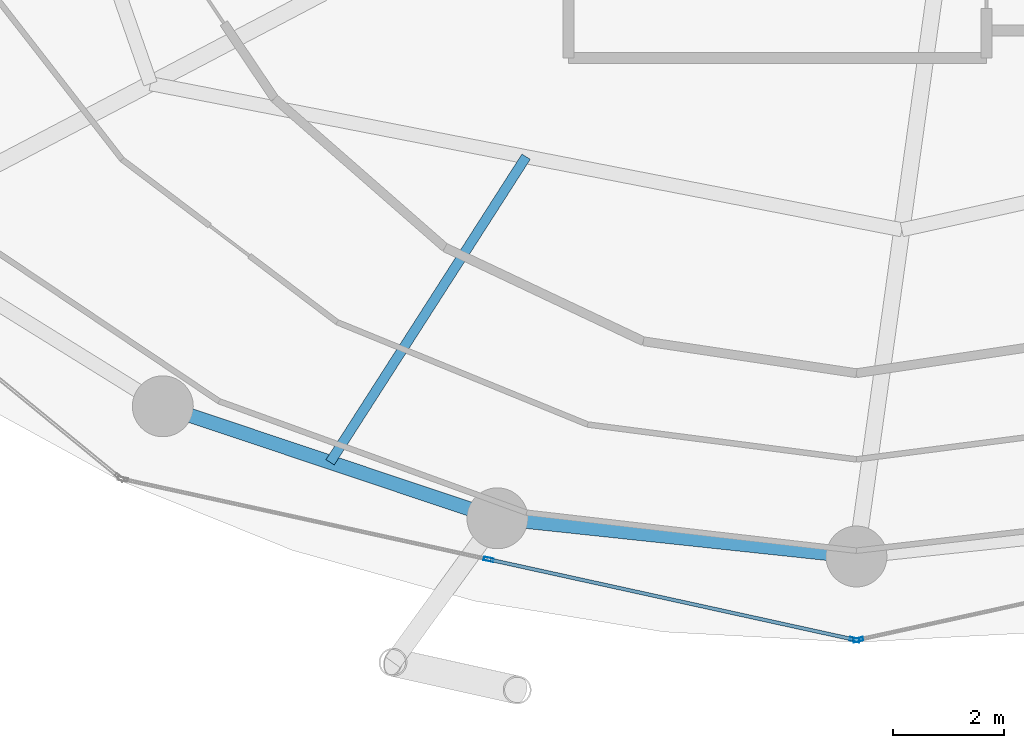
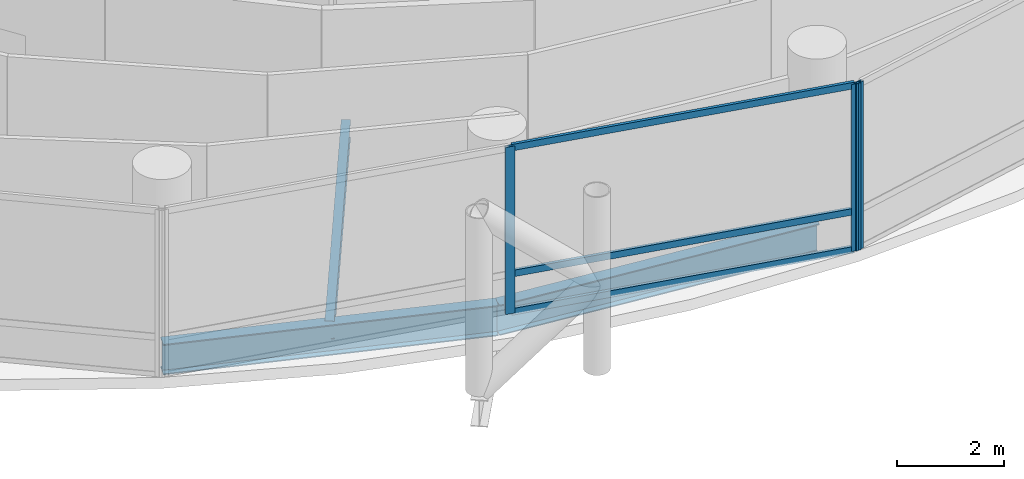
# One storey, part 4 of 26: 6 members, 3 beams, 2 elements without a shape of their own.
"""IFC4 building model written with IfcOpenShell, lengths in metres."""

from ifc_helpers import new_model, si_unit, direction, frame, origin, origin_2d, place, context, subcontext, project, spatial, hollow_rectangle, i_section, extrude, material, layer, layer_set, material_profile, profile_set, type_object, element, aggregate, save


model = new_model("IFC4")

# Units and contexts
model_context = context("Model", 3, precision=1e-05, world=origin(), true_north=direction((0.0, 1.0)))
body_context = subcontext(model_context, "Body", "Model", "MODEL_VIEW")
ifc_project = project(units=[si_unit("LENGTHUNIT", "METRE"), si_unit("AREAUNIT", "SQUARE_METRE"), si_unit("VOLUMEUNIT", "CUBIC_METRE"), si_unit("PLANEANGLEUNIT", "RADIAN"), si_unit("MASSUNIT", "GRAM", prefix="KILO")], contexts=[model_context])

# Site, building, storey
site_placement = place(None, origin())
site = spatial("IfcSite", under=ifc_project, at=site_placement, CompositionType="ELEMENT")
building_placement = place(site_placement, origin())
building = spatial("IfcBuilding", under=site, at=building_placement, Name="Nuhasar Tower", CompositionType="ELEMENT")
storey_placement = place(building_placement, frame((0.0, 0.0, 93.89990234375)))
storey = spatial("IfcBuildingStorey", under=building, at=storey_placement, Name="L22", CompositionType="ELEMENT", Elevation=93.89990234375)

# Beams
ifc_material_1 = material(Name="Steel S355", Category="steel")
ifc_material_profile_1 = material_profile(ifc_material_1, i_section(OverallWidth=0.177978515625, OverallDepth=0.406005859375, WebThickness=0.0078125, FlangeThickness=0.0126953125, at=origin_2d()), Name="W16X40")
ifc_profile_set_1 = profile_set([ifc_material_profile_1], Name="Steel S355")
beam_type_1 = type_object("IfcBeamType", Name="BM-JST-W16X40", PredefinedType="JOIST", material=ifc_profile_set_1)
beam_1_placement = place(storey_placement, frame((33.035888671875, 13.77001953125, -0.452880859375), z_axis=(-0.539944240715, -0.841700788237, 0.0), x_axis=(0.841700788237, -0.539944240715, 0.0)))
element("IfcBeam", 1, at=beam_1_placement, inside=storey, type_object=beam_type_1, Name="L22 Secondary Floor Joist 01", PredefinedType="JOIST", context=body_context, shape_type="SweptSolid", body=[
    extrude(i_section(OverallWidth=0.177978515625, OverallDepth=0.406005859375, WebThickness=0.0078125, FlangeThickness=0.0126953125, at=origin_2d()), origin(), (0.0, 0.0, 1.0), 6.555908203125),
])
ifc_material_profile_2 = material_profile(ifc_material_1, i_section(OverallWidth=0.256103515625, OverallDepth=0.693115234375, WebThickness=0.014404296875, FlangeThickness=0.023681640625, at=origin_2d()), Name="W27X114")
ifc_profile_set_2 = profile_set([ifc_material_profile_2], Name="Steel S355")
beam_type_2 = type_object("IfcBeamType", Name="BM-RING-W27X114", PredefinedType="SPANDREL", material=ifc_profile_set_2)
beam_2_placement = place(storey_placement, frame((26.47509765625, 9.262939453125, -0.596923828125), z_axis=(0.94826097201, -0.317491935271, 0.0), x_axis=(0.317491935271, 0.94826097201, 0.0)))
element("IfcBeam", 2, at=beam_2_placement, inside=storey, type_object=beam_type_2, Name="L22 Perimeter Ring Spandrel 17", PredefinedType="SPANDREL", context=body_context, shape_type="SweptSolid", body=[
    extrude(i_section(OverallWidth=0.256103515625, OverallDepth=0.693115234375, WebThickness=0.014404296875, FlangeThickness=0.023681640625, at=origin_2d()), origin(), (0.0, 0.0, 1.0), 6.37158203125),
])
beam_3_placement = place(storey_placement, frame((32.51708984375, 7.239990234375, -0.596923828125), z_axis=(0.994384554061, -0.105827022286, 0.0), x_axis=(0.105827022286, 0.994384554061, 0.0)))
element("IfcBeam", 3, at=beam_3_placement, inside=storey, type_object=beam_type_2, Name="L22 Perimeter Ring Spandrel 18", PredefinedType="SPANDREL", context=body_context, shape_type="SweptSolid", body=[
    extrude(i_section(OverallWidth=0.256103515625, OverallDepth=0.693115234375, WebThickness=0.014404296875, FlangeThickness=0.023681640625, at=origin_2d()), origin(), (0.0, 0.0, 1.0), 6.51953125),
])

# Curtain wall, members
ifc_material_2 = material(Name="Aluminium 6063-T6", Category="aluminium")
ifc_layer = layer(ifc_material_2, 0.199951171875)
ifc_layer_set = layer_set([ifc_layer], Name="Aluminium 6063-T6")
curtain_wall_type = type_object("IfcCurtainWallType", Name="CW-Z1-OFF", PredefinedType="NOTDEFINED", material=ifc_layer_set)
curtain_wall_1_placement = place(storey_placement, origin())
curtain_wall_1 = element("IfcCurtainWall", 4, at=curtain_wall_1_placement, inside=storey, type_object=curtain_wall_type, Name="L22 Unitised Curtain Wall 09", PredefinedType="NOTDEFINED")
ifc_material_profile_3 = material_profile(ifc_material_2, hollow_rectangle(XDim=0.06494140625, YDim=0.179931640625, WallThickness=0.0048828125, at=origin_2d()), Name="CWM-2")
ifc_profile_set_3 = profile_set([ifc_material_profile_3], Name="Aluminium 6063-T6")
member_type_1 = type_object("IfcMemberType", Name="CW-MUL-S2", PredefinedType="MULLION", material=ifc_profile_set_3)
member_1_placement = place(storey_placement, frame((32.360107421875, 6.49755859375, 0.0), z_axis=(0.0, 0.0, 1.0), x_axis=(0.214398737637, 0.976746221544, 0.0)))
member_1 = element("IfcMember", 5, at=member_1_placement, type_object=member_type_1, Name="CW-Z1 mullion 2", PredefinedType="MULLION", context=body_context, shape_type="SweptSolid", body=[
    extrude(hollow_rectangle(XDim=0.06494140625, YDim=0.179931640625, WallThickness=0.0048828125, at=origin_2d()), origin(), (0.0, 0.0, 1.0), 3.800048828125),
])
member_2_placement = place(storey_placement, frame((38.96826171875, 5.046875, 0.0), z_axis=(0.0, 0.0, 1.0), x_axis=(0.214398737637, 0.976746221544, 0.0)))
member_2 = element("IfcMember", 6, at=member_2_placement, type_object=member_type_1, Name="CW-Z1 mullion 3", PredefinedType="MULLION", context=body_context, shape_type="SweptSolid", body=[
    extrude(hollow_rectangle(XDim=0.06494140625, YDim=0.179931640625, WallThickness=0.0048828125, at=origin_2d()), origin(), (0.0, 0.0, 1.0), 3.800048828125),
])

# Curtain wall, member
curtain_wall_2_placement = place(storey_placement, origin())
curtain_wall_2 = element("IfcCurtainWall", 7, at=curtain_wall_2_placement, inside=storey, type_object=curtain_wall_type, Name="L22 Unitised Curtain Wall 10", PredefinedType="NOTDEFINED")
member_3_placement = place(storey_placement, frame((39.03173828125, 5.046875, 0.0), z_axis=(0.0, 0.0, 1.0), x_axis=(-0.214398737637, 0.976746221544, 0.0)))
member_3 = element("IfcMember", 8, at=member_3_placement, type_object=member_type_1, Name="CW-Z1 mullion 1", PredefinedType="MULLION", context=body_context, shape_type="SweptSolid", body=[
    extrude(hollow_rectangle(XDim=0.06494140625, YDim=0.179931640625, WallThickness=0.0048828125, at=origin_2d()), origin(), (0.0, 0.0, 1.0), 3.800048828125),
])
aggregate(curtain_wall_2, [member_3])

# Member
ifc_material_profile_4 = material_profile(ifc_material_2, hollow_rectangle(XDim=0.06494140625, YDim=0.14990234375, WallThickness=0.00439453125, at=origin_2d()), Name="CWT-2")
ifc_profile_set_4 = profile_set([ifc_material_profile_4], Name="Aluminium 6063-T6")
member_type_2 = type_object("IfcMemberType", Name="CW-TRN-S2", PredefinedType="USERDEFINED", material=ifc_profile_set_4)
member_4_placement = place(storey_placement, frame((32.391845703125, 6.490478515625, 0.03271484375), z_axis=(0.976747879138, -0.214391185916, 0.0), x_axis=(0.214391185916, 0.976747879138, 0.0)))
member_4 = element("IfcMember", 9, at=member_4_placement, type_object=member_type_2, Name="CW-Z1 transom 2.1", ObjectType="TRANSOM", PredefinedType="USERDEFINED", context=body_context, shape_type="SweptSolid", body=[
    extrude(hollow_rectangle(XDim=0.06494140625, YDim=0.14990234375, WallThickness=0.00439453125, at=origin_2d()), origin(), (0.0, 0.0, 1.0), 6.700439453125),
])

member_5_placement = place(storey_placement, frame((32.391845703125, 6.490478515625, 0.900146484375), z_axis=(0.976747879138, -0.214391185916, 0.0), x_axis=(0.214391185916, 0.976747879138, 0.0)))
member_5 = element("IfcMember", 10, at=member_5_placement, type_object=member_type_2, Name="CW-Z1 transom 2.2", ObjectType="TRANSOM", PredefinedType="USERDEFINED", context=body_context, shape_type="SweptSolid", body=[
    extrude(hollow_rectangle(XDim=0.06494140625, YDim=0.14990234375, WallThickness=0.00439453125, at=origin_2d()), origin(), (0.0, 0.0, 1.0), 6.700439453125),
])

member_6_placement = place(storey_placement, frame((32.391845703125, 6.490478515625, 3.767578125), z_axis=(0.976747879138, -0.214391185916, 0.0), x_axis=(0.214391185916, 0.976747879138, 0.0)))
member_6 = element("IfcMember", 11, at=member_6_placement, type_object=member_type_2, Name="CW-Z1 transom 2.3", ObjectType="TRANSOM", PredefinedType="USERDEFINED", context=body_context, shape_type="SweptSolid", body=[
    extrude(hollow_rectangle(XDim=0.06494140625, YDim=0.14990234375, WallThickness=0.00439453125, at=origin_2d()), origin(), (0.0, 0.0, 1.0), 6.700439453125),
])

aggregate(curtain_wall_1, [member_1, member_2, member_4, member_5, member_6])

save(model, "model.ifc")
